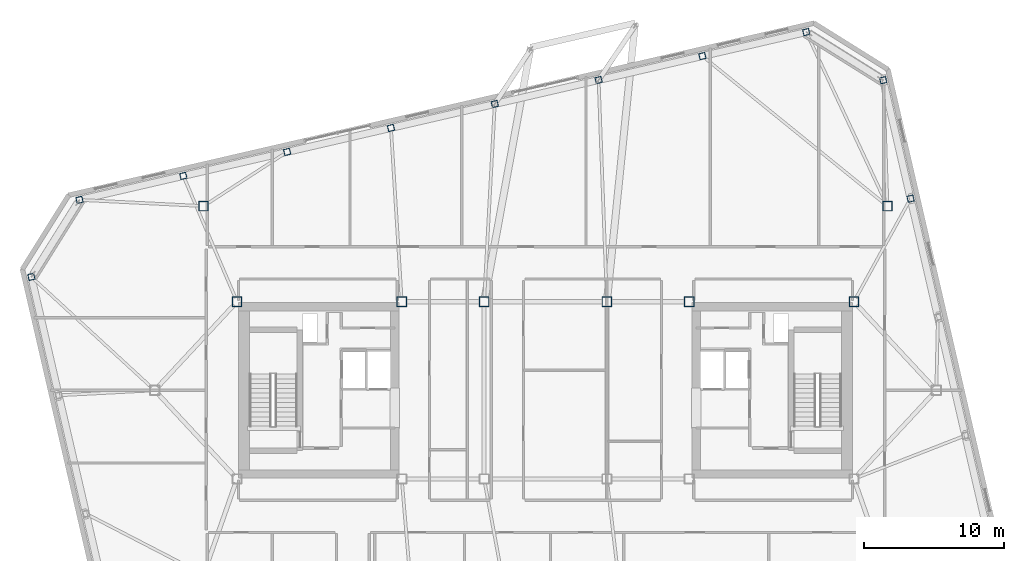
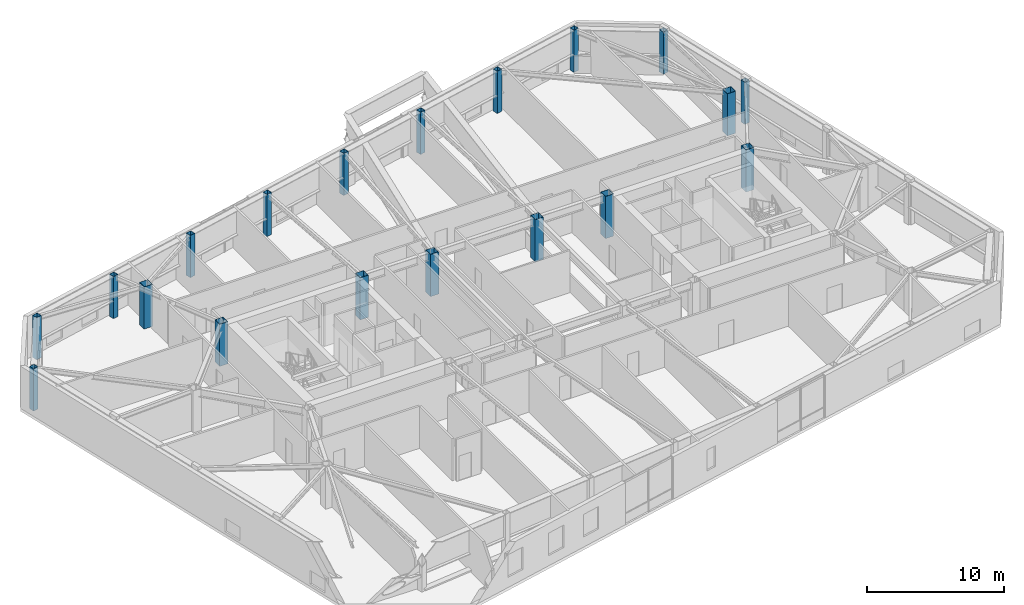
# One storey, part 2 of 23: 19 columns.
"""IFC4 building model written with IfcOpenShell, lengths in metres."""

import ifcopenshell
import ifcopenshell.guid

model = None  # the IFC model being written
_history = None  # IfcOwnerHistory: only IFC2X3 demands one
_inside = {}  # id of a spatial element -> (the spatial element, [elements in it])
_under = {}  # id of a project, library or spatial element -> (it, [spatial elements below it])
_declared = {}  # id of a project -> (the project, [libraries it declares])
_typed = {}  # id of a type object -> (the type object, [elements of that type])
_made_of = {}  # id of a material, layer set ... -> (it, [elements and type objects made of it])


def new_model(schema):
    """Start an empty IFC model of exactly this schema.

    Asked for "IFC4X3", IfcOpenShell would pick the latest addendum, in which some entities
    have other attributes; the version numbers below select the first issue.
    IFC2X3 requires an IfcOwnerHistory on every rooted entity: one is made here for all.
    """
    global model, _history
    if schema == "IFC4X3":
        model = ifcopenshell.file(schema_version=(4, 3, 0, 0))
    else:
        model = ifcopenshell.file(schema=schema)
    _inside.clear()
    _under.clear()
    _declared.clear()
    _typed.clear()
    _made_of.clear()
    _history = None
    if model.schema == "IFC2X3":
        org = make("IfcOrganization", Name="unknown")
        user = make(
            "IfcPersonAndOrganization",
            ThePerson=make("IfcPerson", FamilyName="unknown"),
            TheOrganization=org,
        )
        app = make(
            "IfcApplication",
            ApplicationDeveloper=org,
            Version="unknown",
            ApplicationFullName="unknown",
            ApplicationIdentifier="unknown",
        )
        _history = make(
            "IfcOwnerHistory",
            OwningUser=user,
            OwningApplication=app,
            ChangeAction="ADDED",
            CreationDate=0,
        )
    return model


def make(cls, **values):
    """One entity of the class cls with the attributes given. An attribute that is None is left unset."""
    return model.create_entity(
        cls, **{name: value for name, value in values.items() if value is not None}
    )


def rooted(cls, **values):
    """An entity with a GlobalId (a new one), such as an element, a storey or a relation."""
    return make(cls, GlobalId=ifcopenshell.guid.new(), OwnerHistory=_history, **values)


def si_unit(unit_type, name, prefix=None):
    """IfcSIUnit, for example si_unit("LENGTHUNIT", "METRE", prefix="MILLI")."""
    return make("IfcSIUnit", UnitType=unit_type, Prefix=prefix, Name=name)


def assignment(units):
    """IfcUnitAssignment: the units of a project."""
    return None if units is None else make("IfcUnitAssignment", Units=units)


def point(xyz):
    """IfcCartesianPoint."""
    return None if xyz is None else make("IfcCartesianPoint", Coordinates=xyz)


def direction(xyz):
    """IfcDirection."""
    return None if xyz is None else make("IfcDirection", DirectionRatios=xyz)


def frame(location, z_axis=None, x_axis=None):
    """IfcAxis2Placement3D, a coordinate frame: its origin and axes. An axis left out is left unset."""
    return make(
        "IfcAxis2Placement3D",
        Location=point(location),
        Axis=direction(z_axis),
        RefDirection=direction(x_axis),
    )


def frame_2d(location, x_axis=None):
    """IfcAxis2Placement2D, a coordinate frame in the plane: its origin and x axis."""
    return make(
        "IfcAxis2Placement2D", Location=point(location), RefDirection=direction(x_axis)
    )


def origin():
    """The frame at (0, 0, 0) with its axes left unset."""
    return frame((0.0, 0.0, 0.0))


def origin_2d():
    """The frame at (0, 0) in the plane with its x axis left unset."""
    return frame_2d((0.0, 0.0))


def place(relative_to, where):
    """IfcLocalPlacement: puts the frame where relative to a parent placement (None: the world)."""
    return make(
        "IfcLocalPlacement", PlacementRelTo=relative_to, RelativePlacement=where
    )


def context(
    kind, dimensions, precision=None, world=None, true_north=None, identifier=None
):
    """IfcGeometricRepresentationContext, for example the 3D "Model" context."""
    return make(
        "IfcGeometricRepresentationContext",
        ContextIdentifier=identifier,
        ContextType=kind,
        CoordinateSpaceDimension=dimensions,
        Precision=precision,
        WorldCoordinateSystem=world,
        TrueNorth=true_north,
    )


def subcontext(parent, identifier, kind, view, scale=None):
    """IfcGeometricRepresentationSubContext, for example "Body" below "Model"."""
    return make(
        "IfcGeometricRepresentationSubContext",
        ContextIdentifier=identifier,
        ContextType=kind,
        ParentContext=parent,
        TargetScale=scale,
        TargetView=view,
    )


def project(units=None, contexts=None):
    """IfcProject with its units and contexts."""
    return rooted(
        "IfcProject",
        Name="project",
        RepresentationContexts=contexts,
        UnitsInContext=assignment(units),
    )


def spatial(cls, under=None, at=None, **own):
    """A site, building, storey or space (cls), placed at a placement, below another one or the project."""
    s = rooted(cls, ObjectPlacement=at, **own)
    if under is not None:
        _under.setdefault(under.id(), (under, []))[1].append(s)
    return s


def profile(cls, at=None, kind="AREA", **sizes):
    """A parametric profile (cls). Its sizes go by their IFC names, for example OverallWidth=200.0."""
    return make(cls, ProfileType=kind, Position=at, **sizes)


def hollow_rectangle(**sizes):
    """IfcRectangleHollowProfileDef."""
    return profile("IfcRectangleHollowProfileDef", **sizes)


def extrude(swept, where, along, depth):
    """IfcExtrudedAreaSolid: the profile swept, set in the frame where, extruded along a direction by depth."""
    return make(
        "IfcExtrudedAreaSolid",
        SweptArea=swept,
        Position=where,
        ExtrudedDirection=direction(along),
        Depth=depth,
    )


def shape(context_of_items, identifier, shape_type, items):
    """IfcShapeRepresentation: the items that make up one representation, for example the "Body"."""
    return make(
        "IfcShapeRepresentation",
        ContextOfItems=context_of_items,
        RepresentationIdentifier=identifier,
        RepresentationType=shape_type,
        Items=items,
    )


def material(Name=None, Category=None):
    """IfcMaterial."""
    return make("IfcMaterial", Name=Name, Category=Category)


def material_profile(
    of_material, cross_section, Name=None, Category=None, Priority=None
):
    """IfcMaterialProfile: a cross section and its material."""
    return make(
        "IfcMaterialProfile",
        Name=Name,
        Material=of_material,
        Profile=cross_section,
        Priority=Priority,
        Category=Category,
    )


def profile_set(profiles, Name=None, composite=None):
    """IfcMaterialProfileSet."""
    return make(
        "IfcMaterialProfileSet",
        Name=Name,
        MaterialProfiles=profiles,
        CompositeProfile=composite,
    )


def made_of(thing, what):
    """Note that an element or type object is made of a material, layer set ...; save() writes the relation."""
    if what is not None:
        _made_of.setdefault(what.id(), (what, []))[1].append(thing)
    return thing


def type_object(cls, material=None, **own):
    """A type object (cls), such as IfcWallType, which elements share."""
    return made_of(rooted(cls, **own), material)


def element(
    cls,
    number,
    at=None,
    inside=None,
    cuts=None,
    type_object=None,
    material=None,
    context=None,
    identifier="Body",
    shape_type=None,
    held_by="IfcProductDefinitionShape",
    body=None,
    shapes=None,
    **own,
):
    """One element of the class cls, such as IfcWall. Its Tag is "e" and its number.

    at: its placement. inside: the storey or other place that contains it. cuts: it is an
    opening in that element (IfcRelVoidsElement). A single representation is given by context,
    identifier, shape_type and body (its items); several are given by shapes. held_by: the class
    of the entity that holds the representations. save() writes the other relations.
    """
    e = rooted(cls, Tag="e%d" % number, ObjectPlacement=at, **own)
    if body is not None:
        shapes = [shape(context, identifier, shape_type, body)]
    if shapes is not None:
        e.Representation = make(held_by, Representations=shapes)
    if inside is not None:
        _inside.setdefault(inside.id(), (inside, []))[1].append(e)
    if cuts is not None:
        rooted(
            "IfcRelVoidsElement", RelatingBuildingElement=cuts, RelatedOpeningElement=e
        )
    if type_object is not None:
        _typed.setdefault(type_object.id(), (type_object, []))[1].append(e)
    return made_of(e, material)


def aggregate(whole, parts):
    """IfcRelAggregates: a whole, such as a stair, and the parts it consists of."""
    return rooted("IfcRelAggregates", RelatingObject=whole, RelatedObjects=parts)


def save(model, path):
    """Write the relations noted so far, then the file.

    IfcRelAggregates (storeys below a building ...), IfcRelContainedInSpatialStructure (elements
    in a storey), IfcRelDefinesByType, IfcRelAssociatesMaterial and IfcRelDeclares: one each for
    every whole, place, type object, material and project.
    """
    for whole, parts in _under.values():
        aggregate(whole, parts)
    for where, things in _inside.values():
        rooted(
            "IfcRelContainedInSpatialStructure",
            RelatedElements=things,
            RelatingStructure=where,
        )
    for kind, things in _typed.values():
        rooted("IfcRelDefinesByType", RelatedObjects=things, RelatingType=kind)
    for what, things in _made_of.values():
        rooted("IfcRelAssociatesMaterial", RelatedObjects=things, RelatingMaterial=what)
    for by, libraries in _declared.values():
        rooted("IfcRelDeclares", RelatingContext=by, RelatedDefinitions=libraries)
    model.write(path)


model = new_model("IFC4")

# Units and contexts
model_context = context("Model", 3, precision=1e-05, world=origin(), true_north=direction((0.0, 1.0)))
body_context = subcontext(model_context, "Body", "Model", "MODEL_VIEW")
ifc_project = project(units=[si_unit("LENGTHUNIT", "METRE"), si_unit("AREAUNIT", "SQUARE_METRE"), si_unit("VOLUMEUNIT", "CUBIC_METRE"), si_unit("PLANEANGLEUNIT", "RADIAN"), si_unit("MASSUNIT", "GRAM", prefix="KILO")], contexts=[model_context])

# Site, building, storey
site_placement = place(None, origin())
site = spatial("IfcSite", under=ifc_project, at=site_placement, CompositionType="ELEMENT")
building_placement = place(site_placement, origin())
building = spatial("IfcBuilding", under=site, at=building_placement, Name="Tavrogorsk Clinical Tower", CompositionType="ELEMENT")
storey_placement = place(building_placement, frame((0.0, 0.0, 305.0)))
storey = spatial("IfcBuildingStorey", under=building, at=storey_placement, Name="L71", CompositionType="ELEMENT", Elevation=305.0)

# Columns
ifc_material_1 = material(Name="Structural steel S440", Category="steel")
ifc_material_profile_1 = material_profile(ifc_material_1, hollow_rectangle(XDim=0.699951171875, YDim=0.699951171875, WallThickness=0.031982421875, at=origin_2d()), Name="BOX-700x700x32")
ifc_profile_set_1 = profile_set([ifc_material_profile_1], Name="Structural steel S440")
column_type_1 = type_object("IfcColumnType", Name="MegaCol_BOX700", PredefinedType="COLUMN", material=ifc_profile_set_1)
for number, where, z_axis, x_axis, name in (
    (1, (-22.10009765625, 6.35009765625, 0.0), (0.0, 0.0, 1.0), (1.0, 0.0, 0.0), "L71 Mega Column MC-W2"),
    (2, (-10.300048828125, 6.35009765625, 0.0), (0.0, 0.0, 1.0), (1.0, 0.0, 0.0), "L71 Mega Column MC-W4"),
    (3, (10.300048828125, 6.35009765625, 0.0), (0.0, 0.0, 1.0), (1.0, 0.0, 0.0), "L71 Mega Column MC-E2"),
    (4, (22.10009765625, 6.35009765625, 0.0), (0.0, 0.0, 1.0), (1.0, 0.0, 0.0), "L71 Mega Column MC-E4"),
    (5, (-4.39990234375, 6.35009765625, 0.0), (0.0, 0.0, 1.0), (1.0, 0.0, 0.0), "L71 Mega Column MC-C3"),
    (6, (4.39990234375, 6.35009765625, 0.0), (0.0, 0.0, 1.0), (1.0, 0.0, 0.0), "L71 Mega Column MC-C4"),
    (7, (-24.5, 13.199951171875, 0.0), (0.0, 0.0, 1.0), (1.0, 0.0, 0.0), "L71 Spine Pilotis Column MC-P3"),
    (8, (24.5, 13.199951171875, 0.0), (0.0, 0.0, 1.0), (1.0, 0.0, 0.0), "L71 Spine Pilotis Column MC-P4"),
):
    element("IfcColumn", number, at=place(storey_placement, frame(where, z_axis=z_axis, x_axis=x_axis)), inside=storey, type_object=column_type_1, Name=name, PredefinedType="COLUMN", context=body_context, shape_type="SweptSolid", body=[
        extrude(hollow_rectangle(XDim=0.699951171875, YDim=0.699951171875, WallThickness=0.031982421875, at=origin_2d()), origin(), (0.0, 0.0, 1.0), 3.739990234375),
    ])
ifc_material_2 = material(Name="Structural steel S440", Category="steel")
ifc_material_profile_2 = material_profile(ifc_material_2, hollow_rectangle(XDim=0.449951171875, YDim=0.449951171875, WallThickness=0.02197265625, at=origin_2d()), Name="BOX-450x450x22")
ifc_profile_set_2 = profile_set([ifc_material_profile_2], Name="Structural steel S440")
column_type_2 = type_object("IfcColumnType", Name="PerimCol_B5_BOX450", PredefinedType="COLUMN", material=ifc_profile_set_2)
for number, where, z_axis, x_axis, name in (
    (9, (18.681640625, 25.666259765625, 0.0), (0.0, 0.0, 1.0), (0.974370064785, 0.224951054344, 0.0), "L71 Perimeter Column N1"),
    (10, (11.2431640625, 23.948974609375, 0.0), (0.0, 0.0, 1.0), (0.974370064785, 0.224951054344, 0.0), "L71 Perimeter Column N2"),
    (11, (3.804443359375, 22.231689453125, 0.0), (0.0, 0.0, 1.0), (0.974370064785, 0.224951054344, 0.0), "L71 Perimeter Column N3"),
    (12, (-3.63427734375, 20.514404296875, 0.0), (0.0, 0.0, 1.0), (0.974370064785, 0.224951054344, 0.0), "L71 Perimeter Column N4"),
    (13, (-11.07275390625, 18.797119140625, 0.0), (0.0, 0.0, 1.0), (0.974370064785, 0.224951054344, 0.0), "L71 Perimeter Column N5"),
    (14, (-18.51123046875, 17.07958984375, 0.0), (0.0, 0.0, 1.0), (0.974370064785, 0.224951054344, 0.0), "L71 Perimeter Column N6"),
    (15, (-25.949951171875, 15.3623046875, 0.0), (0.0, 0.0, 1.0), (0.974370064785, 0.224951054344, 0.0), "L71 Perimeter Column N7"),
    (16, (-33.388671875, 13.64501953125, 0.0), (0.0, 0.0, 1.0), (0.974370064785, 0.224951054344, 0.0), "L71 Perimeter Column N8"),
    (17, (26.157958984375, 13.732177734375, 0.0), (0.0, 0.0, 1.0), (0.974370064785, 0.224951054344, 0.0), "L71 Perimeter Column E4"),
    (18, (24.198486328125, 22.218994140625, 0.0), (0.0, 0.0, 1.0), (0.974370064785, 0.224951054344, 0.0), "L71 Perimeter Column E5"),
    (19, (-36.8359375, 8.128173828125, 0.0), (0.0, 0.0, 1.0), (0.974370064785, 0.224951054344, 0.0), "L71 Perimeter Column W1"),
):
    element("IfcColumn", number, at=place(storey_placement, frame(where, z_axis=z_axis, x_axis=x_axis)), inside=storey, type_object=column_type_2, Name=name, PredefinedType="COLUMN", context=body_context, shape_type="SweptSolid", body=[
        extrude(hollow_rectangle(XDim=0.449951171875, YDim=0.449951171875, WallThickness=0.02197265625, at=origin_2d()), origin(), (0.0, 0.0, 1.0), 3.739990234375),
    ])

save(model, "model.ifc")
